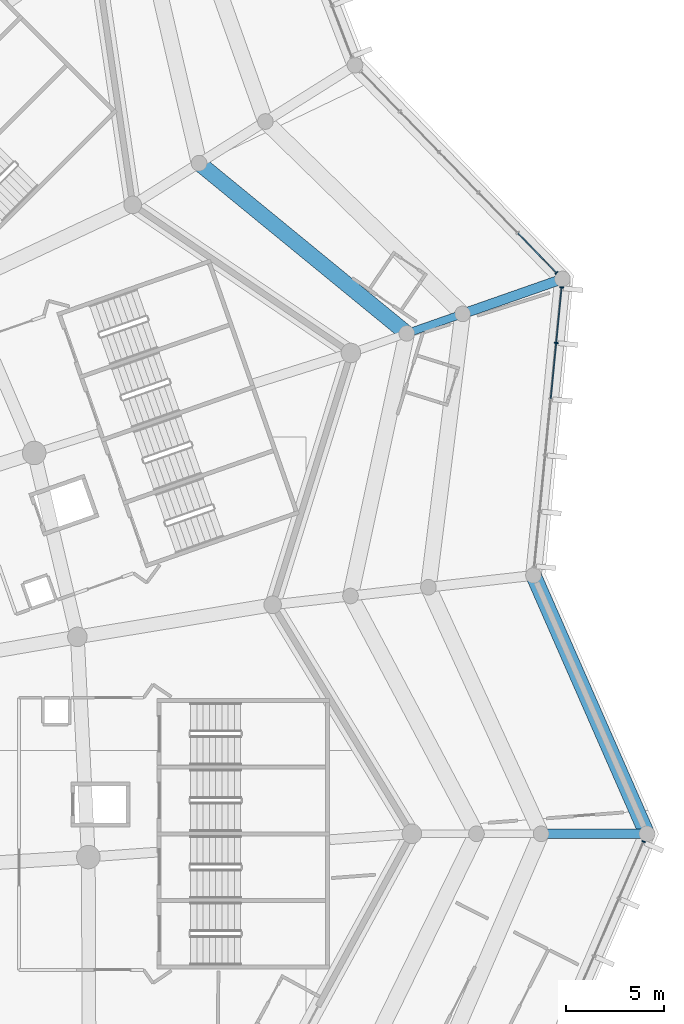
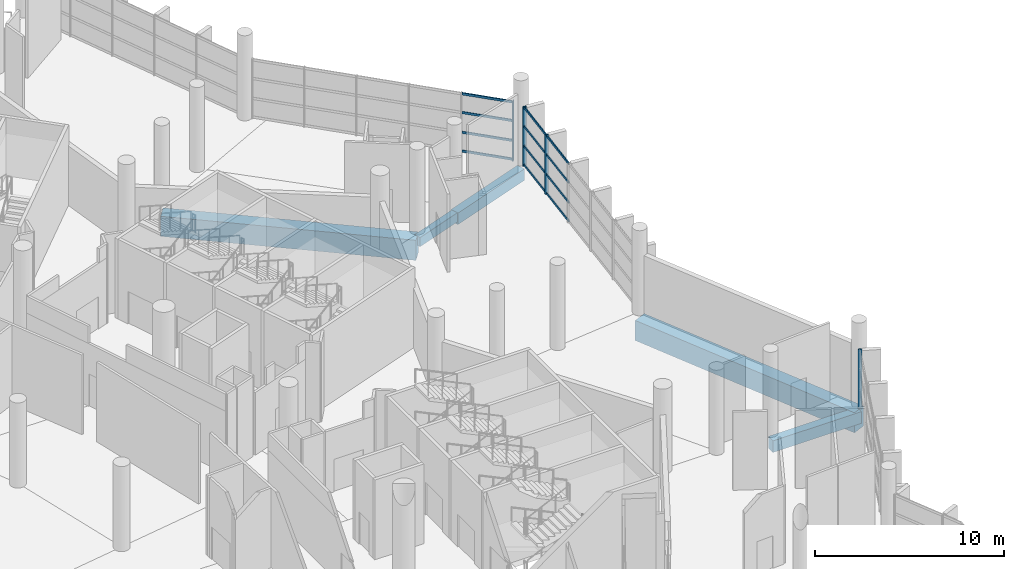
# One storey, part 102 of 271: 16 members, 5 beams, 3 elements without a shape of their own.
"""IFC4 building model written with IfcOpenShell, lengths in metres."""

from ifc_helpers import new_model, si_unit, direction, frame, origin, origin_2d, place, context, subcontext, project, spatial, rectangle, extrude, material, layer, layer_set, material_profile, profile_set, type_object, element, aggregate, save


model = new_model("IFC4")

# Units and contexts
model_context = context("Model", 3, precision=1e-05, world=origin(), true_north=direction((0.0, 1.0)))
body_context = subcontext(model_context, "Body", "Model", "MODEL_VIEW")
ifc_project = project(units=[si_unit("LENGTHUNIT", "METRE"), si_unit("AREAUNIT", "SQUARE_METRE"), si_unit("VOLUMEUNIT", "CUBIC_METRE"), si_unit("PLANEANGLEUNIT", "RADIAN"), si_unit("MASSUNIT", "GRAM", prefix="KILO")], contexts=[model_context])

# Site, building, storey
site_placement = place(None, origin())
site = spatial("IfcSite", under=ifc_project, at=site_placement, CompositionType="ELEMENT")
building_placement = place(site_placement, origin())
building = spatial("IfcBuilding", under=site, at=building_placement, Name="Meseta Stadium", CompositionType="ELEMENT")
storey_placement = place(building_placement, frame((0.0, 0.0, 6.5)))
storey = spatial("IfcBuildingStorey", under=building, at=storey_placement, Name="L01", CompositionType="ELEMENT", Elevation=6.5)

# Beams
ifc_material_1 = material(Name="Concrete C40/50", Category="concrete")
ifc_material_profile_1 = material_profile(ifc_material_1, rectangle(XDim=0.39990234375, YDim=0.60009765625, at=origin_2d()), Name="RC 400x600")
ifc_profile_set_1 = profile_set([ifc_material_profile_1], Name="Concrete C40/50")
beam_type_1 = type_object("IfcBeamType", Name="RC beam 400x600", PredefinedType="BEAM", material=ifc_profile_set_1)
beam_1_placement = place(storey_placement, frame((101.140380859375, 69.29443359375, -0.64990234375), z_axis=(0.943888610281, 0.330263972274, 0.0), x_axis=(-0.330263972274, 0.943888610281, 0.0)))
element("IfcBeam", 1, at=beam_1_placement, inside=storey, type_object=beam_type_1, Name="L01 radial beam frame 10 line M to Q", PredefinedType="BEAM", context=body_context, shape_type="SweptSolid", body=[
    extrude(rectangle(XDim=0.39990234375, YDim=0.60009765625, at=origin_2d()), origin(), (0.0, 0.0, 1.0), 3.01904296875),
])
ifc_material_2 = material(Name="Concrete C40/50", Category="concrete")
ifc_material_profile_2 = material_profile(ifc_material_2, rectangle(XDim=0.5, YDim=0.75, at=origin_2d()), Name="RC 500x750")
ifc_profile_set_2 = profile_set([ifc_material_profile_2], Name="Concrete C40/50")
beam_type_2 = type_object("IfcBeamType", Name="RC beam 500x750", PredefinedType="BEAM", material=ifc_profile_set_2)
for number, where, z_axis, x_axis, name in (
    (2, (108.0, 43.75, -0.72509765625), (1.0, 0.0, 0.0), (0.0, 1.0, 0.0), "L01 radial beam frame 8 line Q to O"),
    (3, (103.989990234375, 70.29150390625, -0.72509765625), (0.943871747737, 0.330312161181, 0.0), (-0.330312161181, 0.943871747737, 0.0), "L01 radial beam frame 10 line Q to O"),
):
    element("IfcBeam", number, at=place(storey_placement, frame(where, z_axis=z_axis, x_axis=x_axis)), inside=storey, type_object=beam_type_2, Name=name, PredefinedType="BEAM", context=body_context, shape_type="SweptSolid", body=[
        extrude(rectangle(XDim=0.5, YDim=0.75, at=origin_2d()), origin(), (0.0, 0.0, 1.0), 5.39990234375),
    ])
ifc_material_3 = material(Name="Concrete C40/50", Category="concrete")
ifc_material_profile_3 = material_profile(ifc_material_3, rectangle(XDim=0.800048828125, YDim=1.300048828125, at=origin_2d()), Name="RC 800x1300")
ifc_profile_set_3 = profile_set([ifc_material_profile_3], Name="Concrete C40/50")
beam_type_3 = type_object("IfcBeamType", Name="RC beam 800x1300", PredefinedType="BEAM", material=ifc_profile_set_3)
beam_2_placement = place(storey_placement, frame((113.39990234375, 43.75, -1.0), z_axis=(-0.401887137806, 0.915689209539, 0.0), x_axis=(-0.915689209539, -0.401887137806, 0.0)))
element("IfcBeam", 4, at=beam_2_placement, inside=storey, type_object=beam_type_3, Name="L01 ring beam frame 8 line O", PredefinedType="BEAM", context=body_context, shape_type="SweptSolid", body=[
    extrude(rectangle(XDim=0.800048828125, YDim=1.300048828125, at=origin_2d()), origin(), (0.0, 0.0, 1.0), 14.406494140625),
])
beam_3_placement = place(storey_placement, frame((101.140380859375, 69.29443359375, -1.0), z_axis=(-0.77340555921, 0.633911540345, 0.0), x_axis=(-0.633911540345, -0.77340555921, 0.0)))
element("IfcBeam", 5, at=beam_3_placement, inside=storey, type_object=beam_type_3, Name="L01 ring beam frame 10 line M", PredefinedType="BEAM", context=body_context, shape_type="SweptSolid", body=[
    extrude(rectangle(XDim=0.800048828125, YDim=1.300048828125, at=origin_2d()), origin(), (0.0, 0.0, 1.0), 13.709228515625),
])

# Curtain wall, member
ifc_material_4 = material(Name="Aluminium", Category="aluminium")
ifc_layer = layer(ifc_material_4, 0.199951171875)
ifc_layer_set = layer_set([ifc_layer], Name="Ring shopfront curtain wall")
curtain_wall_type = type_object("IfcCurtainWallType", Name="Ring shopfront curtain wall", PredefinedType="NOTDEFINED", material=ifc_layer_set)
curtain_wall_1_placement = place(storey_placement, origin())
curtain_wall_1 = element("IfcCurtainWall", 6, at=curtain_wall_1_placement, inside=storey, type_object=curtain_wall_type, Name="Ring glazing L01 F07", PredefinedType="NOTDEFINED")
ifc_material_5 = material(Name="Aluminium", Category="aluminium")
ifc_material_profile_4 = material_profile(ifc_material_5, rectangle(XDim=0.199951171875, YDim=0.06005859375, at=origin_2d()), Name="CW 200x60")
ifc_profile_set_4 = profile_set([ifc_material_profile_4], Name="Aluminium")
member_type_1 = type_object("IfcMemberType", Name="Ring CW mullion 60x200", PredefinedType="MULLION", material=ifc_profile_set_4)
member_1_placement = place(storey_placement, frame((113.2294921875, 43.355224609375, 0.0), z_axis=(0.0, 0.0, 1.0), x_axis=(-0.91799986854, 0.396580687073, 0.0)))
member_1 = element("IfcMember", 7, at=member_1_placement, type_object=member_type_1, Name="CWR1 mullion 5", PredefinedType="MULLION", context=body_context, shape_type="SweptSolid", body=[
    extrude(rectangle(XDim=0.199951171875, YDim=0.06005859375, at=origin_2d()), origin(), (0.0, 0.0, 1.0), 3.85009765625),
])
aggregate(curtain_wall_1, [member_1])

# Curtain wall, members
curtain_wall_2_placement = place(storey_placement, origin())
curtain_wall_2 = element("IfcCurtainWall", 8, at=curtain_wall_2_placement, inside=storey, type_object=curtain_wall_type, Name="Ring glazing L01 F09", PredefinedType="NOTDEFINED")
member_2_placement = place(storey_placement, frame((108.768310546875, 68.8095703125, 0.0), z_axis=(0.0, 0.0, 1.0), x_axis=(-0.995272228282, 0.097124618973, 0.0)))
member_2 = element("IfcMember", 9, at=member_2_placement, type_object=member_type_1, Name="CWR1 mullion 5", PredefinedType="MULLION", context=body_context, shape_type="SweptSolid", body=[
    extrude(rectangle(XDim=0.199951171875, YDim=0.06005859375, at=origin_2d()), origin(), (0.0, 0.0, 1.0), 3.85009765625),
])
member_3_placement = place(storey_placement, frame((109.045166015625, 71.647216796875, 0.0), z_axis=(0.0, 0.0, 1.0), x_axis=(-0.995272228282, 0.097124618973, 0.0)))
member_3 = element("IfcMember", 10, at=member_3_placement, type_object=member_type_1, Name="CWR1 mullion 6", PredefinedType="MULLION", context=body_context, shape_type="SweptSolid", body=[
    extrude(rectangle(XDim=0.199951171875, YDim=0.06005859375, at=origin_2d()), origin(), (0.0, 0.0, 1.0), 3.85009765625),
])

# Curtain wall, member
curtain_wall_3_placement = place(storey_placement, origin())
curtain_wall_3 = element("IfcCurtainWall", 11, at=curtain_wall_3_placement, inside=storey, type_object=curtain_wall_type, Name="Ring glazing L01 F10", PredefinedType="NOTDEFINED")
member_4_placement = place(storey_placement, frame((108.787353515625, 72.383544921875, 0.0), z_axis=(0.0, 0.0, 1.0), x_axis=(-0.717583242683, -0.6964727488, 0.0)))
member_4 = element("IfcMember", 12, at=member_4_placement, type_object=member_type_1, Name="CWR1 mullion 1", PredefinedType="MULLION", context=body_context, shape_type="SweptSolid", body=[
    extrude(rectangle(XDim=0.199951171875, YDim=0.06005859375, at=origin_2d()), origin(), (0.0, 0.0, 1.0), 3.85009765625),
])

# Member
ifc_material_6 = material(Name="Aluminium", Category="aluminium")
ifc_material_profile_5 = material_profile(ifc_material_6, rectangle(XDim=0.06005859375, YDim=0.14990234375, at=origin_2d()), Name="CW 60x150")
ifc_profile_set_5 = profile_set([ifc_material_profile_5], Name="Aluminium")
member_type_2 = type_object("IfcMemberType", Name="Ring CW transom 60x150", PredefinedType="USERDEFINED", material=ifc_profile_set_5)
member_5_placement = place(storey_placement, frame((108.491455078125, 65.971923828125, 0.074951171875), z_axis=(0.097095782713, 0.995275041875, 0.0), x_axis=(-0.995275041875, 0.097095782713, 0.0)))
member_5 = element("IfcMember", 13, at=member_5_placement, type_object=member_type_2, Name="CWR1 transom 4.1", ObjectType="TRANSOM", PredefinedType="USERDEFINED", context=body_context, shape_type="SweptSolid", body=[
    extrude(rectangle(XDim=0.06005859375, YDim=0.14990234375, at=origin_2d()), origin(), (0.0, 0.0, 1.0), 2.8212890625),
])

member_6_placement = place(storey_placement, frame((108.491455078125, 65.971923828125, 1.283447265625), z_axis=(0.097095782713, 0.995275041875, 0.0), x_axis=(-0.995275041875, 0.097095782713, 0.0)))
member_6 = element("IfcMember", 14, at=member_6_placement, type_object=member_type_2, Name="CWR1 transom 4.2", ObjectType="TRANSOM", PredefinedType="USERDEFINED", context=body_context, shape_type="SweptSolid", body=[
    extrude(rectangle(XDim=0.06005859375, YDim=0.14990234375, at=origin_2d()), origin(), (0.0, 0.0, 1.0), 2.8212890625),
])

member_7_placement = place(storey_placement, frame((108.491455078125, 65.971923828125, 2.566650390625), z_axis=(0.097095782713, 0.995275041875, 0.0), x_axis=(-0.995275041875, 0.097095782713, 0.0)))
member_7 = element("IfcMember", 15, at=member_7_placement, type_object=member_type_2, Name="CWR1 transom 4.3", ObjectType="TRANSOM", PredefinedType="USERDEFINED", context=body_context, shape_type="SweptSolid", body=[
    extrude(rectangle(XDim=0.06005859375, YDim=0.14990234375, at=origin_2d()), origin(), (0.0, 0.0, 1.0), 2.8212890625),
])

member_8_placement = place(storey_placement, frame((108.491455078125, 65.971923828125, 3.77490234375), z_axis=(0.097095782713, 0.995275041875, 0.0), x_axis=(-0.995275041875, 0.097095782713, 0.0)))
member_8 = element("IfcMember", 16, at=member_8_placement, type_object=member_type_2, Name="CWR1 transom 4.4", ObjectType="TRANSOM", PredefinedType="USERDEFINED", context=body_context, shape_type="SweptSolid", body=[
    extrude(rectangle(XDim=0.06005859375, YDim=0.14990234375, at=origin_2d()), origin(), (0.0, 0.0, 1.0), 2.8212890625),
])

member_9_placement = place(storey_placement, frame((108.771240234375, 68.83935546875, 0.074951171875), z_axis=(0.097095737509, 0.995275046285, 0.0), x_axis=(-0.995275046285, 0.097095737509, 0.0)))
member_9 = element("IfcMember", 17, at=member_9_placement, type_object=member_type_2, Name="CWR1 transom 5.1", ObjectType="TRANSOM", PredefinedType="USERDEFINED", context=body_context, shape_type="SweptSolid", body=[
    extrude(rectangle(XDim=0.06005859375, YDim=0.14990234375, at=origin_2d()), origin(), (0.0, 0.0, 1.0), 2.791015625),
])

member_10_placement = place(storey_placement, frame((108.771240234375, 68.83935546875, 1.283447265625), z_axis=(0.097095737509, 0.995275046285, 0.0), x_axis=(-0.995275046285, 0.097095737509, 0.0)))
member_10 = element("IfcMember", 18, at=member_10_placement, type_object=member_type_2, Name="CWR1 transom 5.2", ObjectType="TRANSOM", PredefinedType="USERDEFINED", context=body_context, shape_type="SweptSolid", body=[
    extrude(rectangle(XDim=0.06005859375, YDim=0.14990234375, at=origin_2d()), origin(), (0.0, 0.0, 1.0), 2.791015625),
])

member_11_placement = place(storey_placement, frame((108.771240234375, 68.83935546875, 2.566650390625), z_axis=(0.097095737509, 0.995275046285, 0.0), x_axis=(-0.995275046285, 0.097095737509, 0.0)))
member_11 = element("IfcMember", 19, at=member_11_placement, type_object=member_type_2, Name="CWR1 transom 5.3", ObjectType="TRANSOM", PredefinedType="USERDEFINED", context=body_context, shape_type="SweptSolid", body=[
    extrude(rectangle(XDim=0.06005859375, YDim=0.14990234375, at=origin_2d()), origin(), (0.0, 0.0, 1.0), 2.791015625),
])

member_12_placement = place(storey_placement, frame((108.771240234375, 68.83935546875, 3.77490234375), z_axis=(0.097095737509, 0.995275046285, 0.0), x_axis=(-0.995275046285, 0.097095737509, 0.0)))
member_12 = element("IfcMember", 20, at=member_12_placement, type_object=member_type_2, Name="CWR1 transom 5.4", ObjectType="TRANSOM", PredefinedType="USERDEFINED", context=body_context, shape_type="SweptSolid", body=[
    extrude(rectangle(XDim=0.06005859375, YDim=0.14990234375, at=origin_2d()), origin(), (0.0, 0.0, 1.0), 2.791015625),
])

aggregate(curtain_wall_2, [member_2, member_3, member_5, member_6, member_7, member_8, member_9, member_10, member_11, member_12])

member_13_placement = place(storey_placement, frame((108.7666015625, 72.4052734375, 0.074951171875), z_axis=(-0.696487300363, 0.717569118924, 0.0), x_axis=(-0.717569118924, -0.696487300363, 0.0)))
member_13 = element("IfcMember", 21, at=member_13_placement, type_object=member_type_2, Name="CWR1 transom 1.1", ObjectType="TRANSOM", PredefinedType="USERDEFINED", context=body_context, shape_type="SweptSolid", body=[
    extrude(rectangle(XDim=0.06005859375, YDim=0.14990234375, at=origin_2d()), origin(), (0.0, 0.0, 1.0), 2.791015625),
])

member_14_placement = place(storey_placement, frame((108.7666015625, 72.4052734375, 1.283447265625), z_axis=(-0.696487300363, 0.717569118924, 0.0), x_axis=(-0.717569118924, -0.696487300363, 0.0)))
member_14 = element("IfcMember", 22, at=member_14_placement, type_object=member_type_2, Name="CWR1 transom 1.2", ObjectType="TRANSOM", PredefinedType="USERDEFINED", context=body_context, shape_type="SweptSolid", body=[
    extrude(rectangle(XDim=0.06005859375, YDim=0.14990234375, at=origin_2d()), origin(), (0.0, 0.0, 1.0), 2.791015625),
])

member_15_placement = place(storey_placement, frame((108.7666015625, 72.4052734375, 2.566650390625), z_axis=(-0.696487300363, 0.717569118924, 0.0), x_axis=(-0.717569118924, -0.696487300363, 0.0)))
member_15 = element("IfcMember", 23, at=member_15_placement, type_object=member_type_2, Name="CWR1 transom 1.3", ObjectType="TRANSOM", PredefinedType="USERDEFINED", context=body_context, shape_type="SweptSolid", body=[
    extrude(rectangle(XDim=0.06005859375, YDim=0.14990234375, at=origin_2d()), origin(), (0.0, 0.0, 1.0), 2.791015625),
])

member_16_placement = place(storey_placement, frame((108.7666015625, 72.4052734375, 3.77490234375), z_axis=(-0.696487300363, 0.717569118924, 0.0), x_axis=(-0.717569118924, -0.696487300363, 0.0)))
member_16 = element("IfcMember", 24, at=member_16_placement, type_object=member_type_2, Name="CWR1 transom 1.4", ObjectType="TRANSOM", PredefinedType="USERDEFINED", context=body_context, shape_type="SweptSolid", body=[
    extrude(rectangle(XDim=0.06005859375, YDim=0.14990234375, at=origin_2d()), origin(), (0.0, 0.0, 1.0), 2.791015625),
])

aggregate(curtain_wall_3, [member_4, member_13, member_14, member_15, member_16])

save(model, "model.ifc")
